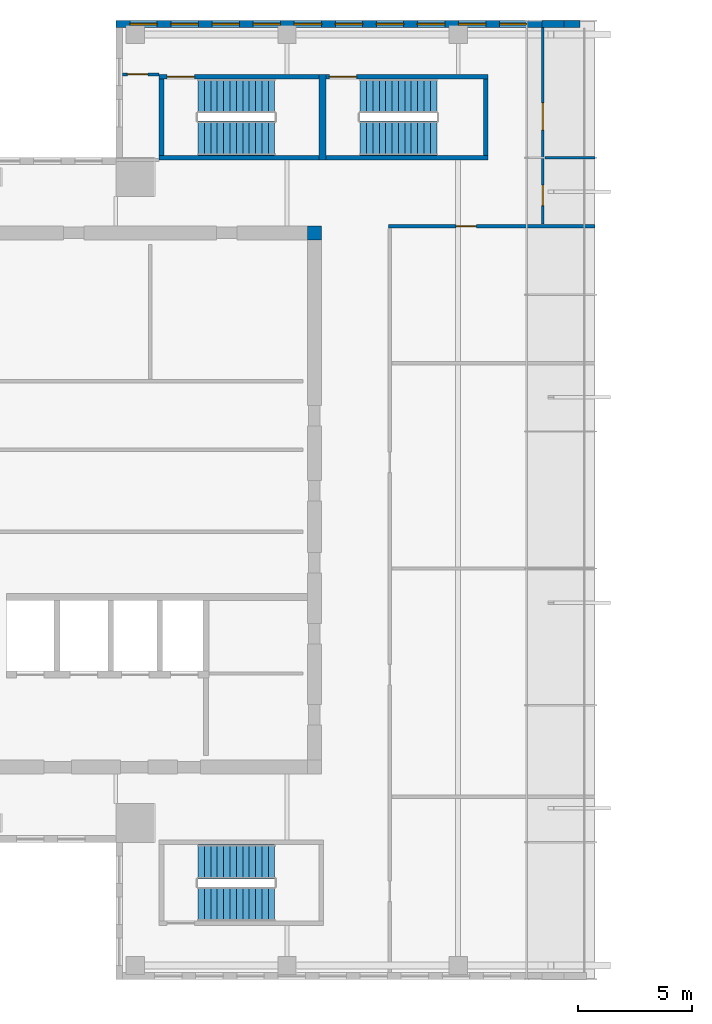
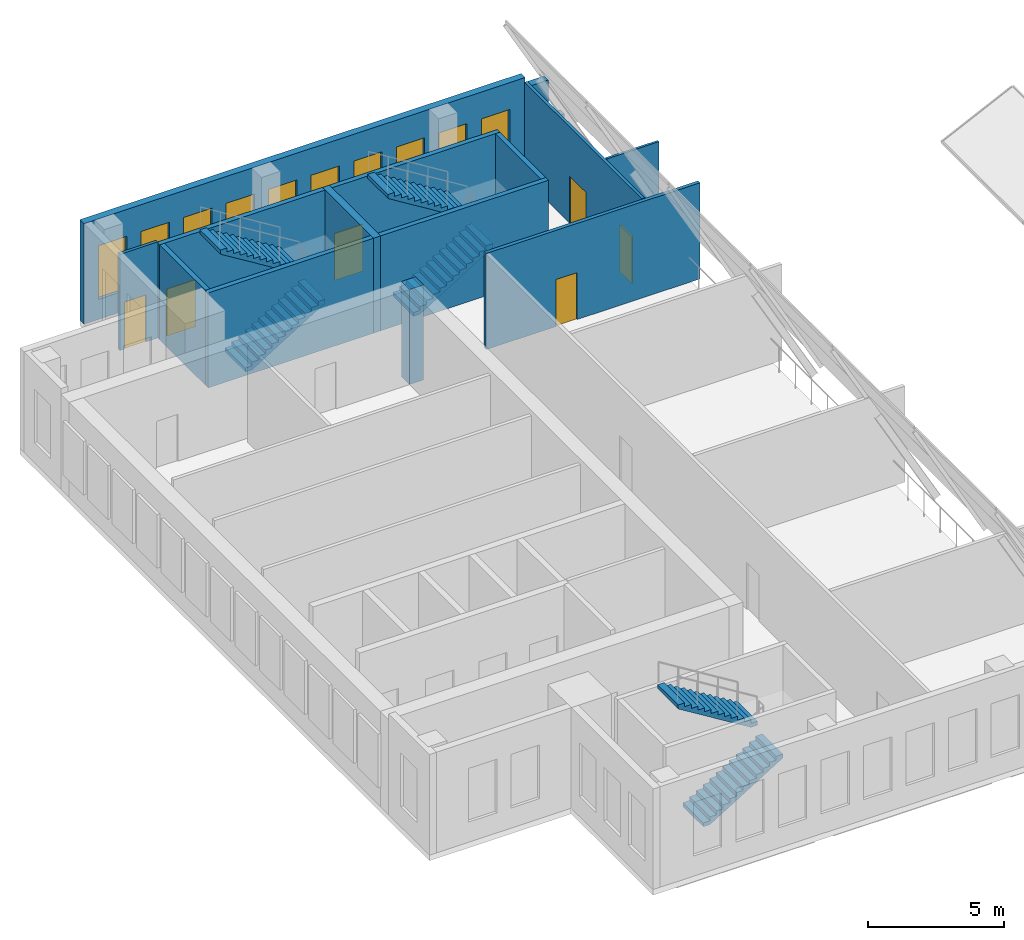
# One storey, part 5 of 7: 15 walls, 10 windows, 6 doors, 6 stair flights, 16 openings, 3 elements without a shape of their own.
"""IFC4 building model written with IfcOpenShell, lengths in metres."""

from ifc_helpers import new_model, si_unit, direction, frame, frame_2d, origin, place, context, subcontext, project, spatial, polyline, rectangle, outline, extrude, source, transform, mapped, material, layer, layer_set, type_object, element, fill, aggregate, save


model = new_model("IFC4")

# Units and contexts
model_context = context("Model", 3, precision=1e-05, world=origin(), true_north=direction((0.0, 1.0)))
body_context = subcontext(model_context, "Body", "Model", "MODEL_VIEW")
ifc_project = project(units=[si_unit("LENGTHUNIT", "METRE"), si_unit("AREAUNIT", "SQUARE_METRE"), si_unit("VOLUMEUNIT", "CUBIC_METRE"), si_unit("PLANEANGLEUNIT", "RADIAN"), si_unit("MASSUNIT", "GRAM", prefix="KILO")], contexts=[model_context])

# Site, building, storey
site_placement = place(None, origin())
site = spatial("IfcSite", under=ifc_project, at=site_placement, CompositionType="ELEMENT")
building_placement = place(site_placement, origin())
building = spatial("IfcBuilding", under=site, at=building_placement, Name="Khomas Fold Tower", CompositionType="ELEMENT")
storey_placement = place(building_placement, frame((0.0, 0.0, 339.199951171875)))
storey = spatial("IfcBuildingStorey", under=building, at=storey_placement, Name="C3", CompositionType="ELEMENT", Elevation=339.199951171875)

# Wall
ifc_material_1 = material(Name="Concrete C50/60", Category="concrete")
ifc_layer_1 = layer(ifc_material_1, 0.60009765625)
ifc_layer_set_1 = layer_set([ifc_layer_1], Name="Concrete C50/60")
wall_type_1 = type_object("IfcWallType", Name="Core corner wall 600", PredefinedType="SHEAR", material=ifc_layer_set_1)
shared_shape_1 = source(origin(), body_context, "Body", "SweptSolid", [
    extrude(rectangle(XDim=0.60009765625, YDim=0.60009765625, at=frame_2d((0.300048828125, 0.0))), origin(), (0.0, 0.0, 1.0), 4.25),
])
wall_1_placement = place(storey_placement, frame((20.39990234375, 38.699951171875, 0.0), z_axis=(0.0, 0.0, 1.0), x_axis=(1.0, 0.0, 0.0)))
element("IfcWall", 1, at=wall_1_placement, inside=storey, type_object=wall_type_1, Name="Core wall CW-U-NE-L63", PredefinedType="SHEAR", context=body_context, shape_type="MappedRepresentation", body=[
    mapped(shared_shape_1, transform((0.0, 0.0, 0.0))),
])

# Wall, opening, door
ifc_material_2 = material(Name="Concrete C50/60", Category="concrete")
ifc_layer_2 = layer(ifc_material_2, 0.199951171875)
ifc_layer_set_2 = layer_set([ifc_layer_2], Name="Concrete C50/60")
wall_type_2 = type_object("IfcWallType", Name="Stair wall 200", PredefinedType="SHEAR", material=ifc_layer_set_2)
shared_shape_2 = source(origin(), body_context, "Body", "SweptSolid", [
    extrude(rectangle(XDim=7.0, YDim=0.199951171875, at=frame_2d((3.5, 0.0))), origin(), (0.0, 0.0, 1.0), 4.25),
])
wall_2_placement = place(storey_placement, frame((13.89990234375, 45.550048828125, 0.0), z_axis=(0.0, 0.0, 1.0), x_axis=(1.0, 0.0, 0.0)))
wall_2 = element("IfcWall", 2, at=wall_2_placement, inside=storey, type_object=wall_type_2, Name="Stair wall SW-ST1-N", PredefinedType="SHEAR", context=body_context, shape_type="MappedRepresentation", body=[
    mapped(shared_shape_2, transform((0.0, 0.0, 0.0))),
])
shared_shape_3 = source(origin(), body_context, "Body", "SweptSolid", [
    extrude(rectangle(XDim=1.199951171875, YDim=2.10009765625, at=frame_2d((0.60009765625, 1.050048828125))), frame((0.0, 0.10986328125, 0.0), z_axis=(0.0, -1.0, 0.0), x_axis=(1.0, 0.0, 0.0)), (0.0, 0.0, 1.0), 0.219970703125),
])
opening_1_placement = place(wall_2_placement, frame((0.35009765625, 0.0, 0.0)))
opening_1 = element("IfcOpeningElement", 3, at=opening_1_placement, cuts=wall_2, Name="Opening SD-ST1", PredefinedType="OPENING", context=body_context, shape_type="MappedRepresentation", body=[
    mapped(shared_shape_3, transform((0.0, 0.0, 0.0))),
])
ifc_material_3 = material(Name="Steel door leaf", Category="steel")
door_type_1 = type_object("IfcDoorType", Name="Stair door 1200x2100 left-hand", OperationType="SINGLE_SWING_LEFT", PredefinedType="DOOR", material=ifc_material_3)
shared_shape_4 = source(origin(), body_context, "Body", "SweptSolid", [
    extrude(rectangle(XDim=1.199951171875, YDim=2.10009765625, at=frame_2d((0.60009765625, 1.050048828125))), frame((0.0, 0.02490234375, 0.0), z_axis=(0.0, -1.0, 0.0), x_axis=(1.0, 0.0, 0.0)), (0.0, 0.0, 1.0), 0.050048828125),
])
door_1_placement = place(opening_1_placement, origin())
door_1 = element("IfcDoor", 4, at=door_1_placement, inside=storey, type_object=door_type_1, Name="Stair door", OperationType="SINGLE_SWING_LEFT", OverallHeight=2.10009765625, OverallWidth=1.199951171875, PredefinedType="DOOR", context=body_context, shape_type="MappedRepresentation", body=[
    mapped(shared_shape_4, transform((0.0, 0.0, 0.0))),
])
fill(opening_1, door_1)

# Wall
wall_3_placement = place(storey_placement, frame((13.89990234375, 42.0, 0.0), z_axis=(0.0, 0.0, 1.0), x_axis=(1.0, 0.0, 0.0)))
element("IfcWall", 5, at=wall_3_placement, inside=storey, type_object=wall_type_2, Name="Stair wall SW-ST1-S", PredefinedType="SHEAR", context=body_context, shape_type="MappedRepresentation", body=[
    mapped(shared_shape_2, transform((0.0, 0.0, 0.0))),
])

# Wall, opening, door
shared_shape_5 = source(origin(), body_context, "Body", "SweptSolid", [
    extrude(rectangle(XDim=7.10009765625, YDim=0.199951171875, at=frame_2d((3.550048828125, 0.0))), origin(), (0.0, 0.0, 1.0), 4.25),
])
wall_4_placement = place(storey_placement, frame((21.199951171875, 45.550048828125, 0.0), z_axis=(0.0, 0.0, 1.0), x_axis=(1.0, 0.0, 0.0)))
wall_4 = element("IfcWall", 6, at=wall_4_placement, inside=storey, type_object=wall_type_2, Name="Stair wall SW-ST3-N", PredefinedType="SHEAR", context=body_context, shape_type="MappedRepresentation", body=[
    mapped(shared_shape_5, transform((0.0, 0.0, 0.0))),
])
opening_2_placement = place(wall_4_placement, frame((0.14990234375, 0.0, 0.0)))
opening_2 = element("IfcOpeningElement", 7, at=opening_2_placement, cuts=wall_4, Name="Opening SD-ST3", PredefinedType="OPENING", context=body_context, shape_type="MappedRepresentation", body=[
    mapped(shared_shape_3, transform((0.0, 0.0, 0.0))),
])
door_2_placement = place(opening_2_placement, origin())
door_2 = element("IfcDoor", 8, at=door_2_placement, inside=storey, type_object=door_type_1, Name="Stair door", OperationType="SINGLE_SWING_LEFT", OverallHeight=2.10009765625, OverallWidth=1.199951171875, PredefinedType="DOOR", context=body_context, shape_type="MappedRepresentation", body=[
    mapped(shared_shape_4, transform((0.0, 0.0, 0.0))),
])
fill(opening_2, door_2)

# Walls
wall_5_placement = place(storey_placement, frame((21.199951171875, 42.0, 0.0), z_axis=(0.0, 0.0, 1.0), x_axis=(1.0, 0.0, 0.0)))
element("IfcWall", 9, at=wall_5_placement, inside=storey, type_object=wall_type_2, Name="Stair wall SW-ST3-S", PredefinedType="SHEAR", context=body_context, shape_type="MappedRepresentation", body=[
    mapped(shared_shape_5, transform((0.0, 0.0, 0.0))),
])
ifc_material_4 = material(Name="Concrete C50/60", Category="concrete")
ifc_layer_3 = layer(ifc_material_4, 0.300048828125)
ifc_layer_set_3 = layer_set([ifc_layer_3], Name="Concrete C50/60")
wall_type_3 = type_object("IfcWallType", Name="Stair wall 300", PredefinedType="SHEAR", material=ifc_layer_set_3)
shared_shape_6 = source(origin(), body_context, "Body", "SweptSolid", [
    extrude(rectangle(XDim=3.75, YDim=0.300048828125, at=frame_2d((1.875, 0.0))), origin(), (0.0, 0.0, 1.0), 4.25),
])
wall_6_placement = place(storey_placement, frame((21.050048828125, 41.89990234375, 0.0), z_axis=(0.0, 0.0, 1.0), x_axis=(0.0, 1.0, 0.0)))
element("IfcWall", 10, at=wall_6_placement, inside=storey, type_object=wall_type_3, Name="Stair wall SW-ST1-E", PredefinedType="SHEAR", context=body_context, shape_type="MappedRepresentation", body=[
    mapped(shared_shape_6, transform((0.0, 0.0, 0.0))),
])
shared_shape_7 = source(origin(), body_context, "Body", "SweptSolid", [
    extrude(rectangle(XDim=3.349853515625, YDim=0.199951171875, at=frame_2d((1.6748046875, 0.0))), origin(), (0.0, 0.0, 1.0), 4.25),
])
for number, where, z_axis, x_axis, name in (
    (11, (14.0, 42.10009765625, 0.0), (0.0, 0.0, 1.0), (0.0, 1.0, 0.0), "Stair wall SW-ST1-W"),
    (12, (28.199951171875, 42.10009765625, 0.0), (0.0, 0.0, 1.0), (0.0, 1.0, 0.0), "Stair wall SW-ST3-E"),
):
    element("IfcWall", number, at=place(storey_placement, frame(where, z_axis=z_axis, x_axis=x_axis)), inside=storey, type_object=wall_type_2, Name=name, PredefinedType="SHEAR", context=body_context, shape_type="MappedRepresentation", body=[
        mapped(shared_shape_7, transform((0.0, 0.0, 0.0))),
    ])
ifc_material_5 = material(Name="Concrete C40/50", Category="concrete")
ifc_layer_4 = layer(ifc_material_5, 0.300048828125)
ifc_layer_set_4 = layer_set([ifc_layer_4], Name="Concrete C40/50")
wall_type_4 = type_object("IfcWallType", Name="Crown gable wall 300 CR-GW2", PredefinedType="SOLIDWALL", material=ifc_layer_set_4)
shared_shape_8 = source(origin(), body_context, "Body", "SweptSolid", [
    extrude(rectangle(XDim=0.982177734375, YDim=0.300048828125, at=frame_2d((0.4912109375, 0.0))), origin(), (0.0, 0.0, 1.0), 4.050048828125),
])
wall_7_placement = place(storey_placement, frame((31.64453125, 47.85009765625, 0.0), z_axis=(0.0, 0.0, 1.0), x_axis=(-1.0, 0.0, 0.0)))
element("IfcWall", 13, at=wall_7_placement, inside=storey, type_object=wall_type_4, Name="Crown wall", PredefinedType="SOLIDWALL", context=body_context, shape_type="MappedRepresentation", body=[
    mapped(shared_shape_8, transform((0.0, 0.0, 0.0))),
])
ifc_material_6 = material(Name="Concrete C40/50", Category="concrete")
ifc_layer_5 = layer(ifc_material_6, 0.300048828125)
ifc_layer_set_5 = layer_set([ifc_layer_5], Name="Concrete C40/50")
wall_type_5 = type_object("IfcWallType", Name="Crown gable wall 300 CR-GW3", PredefinedType="SOLIDWALL", material=ifc_layer_set_5)
shared_shape_9 = source(origin(), body_context, "Body", "SweptSolid", [
    extrude(rectangle(XDim=0.68212890625, YDim=0.300048828125, at=frame_2d((0.341064453125, 0.0))), origin(), (0.0, 0.0, 1.0), 2.300048828125),
])
wall_8_placement = place(storey_placement, frame((32.32666015625, 47.85009765625, 0.0), z_axis=(0.0, 0.0, 1.0), x_axis=(-1.0, 0.0, 0.0)))
element("IfcWall", 14, at=wall_8_placement, inside=storey, type_object=wall_type_5, Name="Crown wall", PredefinedType="SOLIDWALL", context=body_context, shape_type="MappedRepresentation", body=[
    mapped(shared_shape_9, transform((0.0, 0.0, 0.0))),
])

# Wall, openings, windows
ifc_material_7 = material(Name="Concrete C40/50", Category="concrete")
ifc_layer_6 = layer(ifc_material_7, 0.300048828125)
ifc_layer_set_6 = layer_set([ifc_layer_6], Name="Concrete C40/50")
wall_type_6 = type_object("IfcWallType", Name="Crown gable wall 300 CR-GW1", PredefinedType="SOLIDWALL", material=ifc_layer_set_6)
shared_shape_10 = source(origin(), body_context, "Body", "SweptSolid", [
    extrude(rectangle(XDim=18.662353515625, YDim=0.300048828125, at=frame_2d((9.3310546875, 0.0))), origin(), (0.0, 0.0, 1.0), 4.5),
])
wall_9_placement = place(storey_placement, frame((30.662353515625, 47.85009765625, 0.0), z_axis=(0.0, 0.0, 1.0), x_axis=(-1.0, 0.0, 0.0)))
wall_9 = element("IfcWall", 15, at=wall_9_placement, inside=storey, type_object=wall_type_6, Name="Crown wall", PredefinedType="SOLIDWALL", context=body_context, shape_type="MappedRepresentation", body=[
    mapped(shared_shape_10, transform((0.0, 0.0, 0.0))),
])
shared_shape_11 = source(origin(), body_context, "Body", "SweptSolid", [
    extrude(rectangle(XDim=1.199951171875, YDim=2.39990234375, at=frame_2d((0.60009765625, 1.199951171875))), frame((0.0, 0.159912109375, 0.0), z_axis=(0.0, -1.0, 0.0), x_axis=(1.0, 0.0, 0.0)), (0.0, 0.0, 1.0), 0.320068359375),
])
opening_3_placement = place(wall_9_placement, frame((0.64990234375, 0.0, 0.89990234375)))
opening_3 = element("IfcOpeningElement", 16, at=opening_3_placement, cuts=wall_9, Name="Opening CR-LV", PredefinedType="OPENING", context=body_context, shape_type="MappedRepresentation", body=[
    mapped(shared_shape_11, transform((0.0, 0.0, 0.0))),
])
opening_4_placement = place(wall_9_placement, frame((2.449951171875, 0.0, 0.89990234375)))
opening_4 = element("IfcOpeningElement", 17, at=opening_4_placement, cuts=wall_9, Name="Opening CR-LV", PredefinedType="OPENING", context=body_context, shape_type="MappedRepresentation", body=[
    mapped(shared_shape_11, transform((0.0, 0.0, 0.0))),
])
opening_5_placement = place(wall_9_placement, frame((4.25, 0.0, 0.89990234375)))
opening_5 = element("IfcOpeningElement", 18, at=opening_5_placement, cuts=wall_9, Name="Opening CR-LV", PredefinedType="OPENING", context=body_context, shape_type="MappedRepresentation", body=[
    mapped(shared_shape_11, transform((0.0, 0.0, 0.0))),
])
opening_6_placement = place(wall_9_placement, frame((6.050048828125, 0.0, 0.89990234375)))
opening_6 = element("IfcOpeningElement", 19, at=opening_6_placement, cuts=wall_9, Name="Opening CR-LV", PredefinedType="OPENING", context=body_context, shape_type="MappedRepresentation", body=[
    mapped(shared_shape_11, transform((0.0, 0.0, 0.0))),
])
opening_7_placement = place(wall_9_placement, frame((7.85009765625, 0.0, 0.89990234375)))
opening_7 = element("IfcOpeningElement", 20, at=opening_7_placement, cuts=wall_9, Name="Opening CR-LV", PredefinedType="OPENING", context=body_context, shape_type="MappedRepresentation", body=[
    mapped(shared_shape_11, transform((0.0, 0.0, 0.0))),
])
opening_8_placement = place(wall_9_placement, frame((9.64990234375, 0.0, 0.89990234375)))
opening_8 = element("IfcOpeningElement", 21, at=opening_8_placement, cuts=wall_9, Name="Opening CR-LV", PredefinedType="OPENING", context=body_context, shape_type="MappedRepresentation", body=[
    mapped(shared_shape_11, transform((0.0, 0.0, 0.0))),
])
opening_9_placement = place(wall_9_placement, frame((11.449951171875, 0.0, 0.89990234375)))
opening_9 = element("IfcOpeningElement", 22, at=opening_9_placement, cuts=wall_9, Name="Opening CR-LV", PredefinedType="OPENING", context=body_context, shape_type="MappedRepresentation", body=[
    mapped(shared_shape_11, transform((0.0, 0.0, 0.0))),
])
opening_10_placement = place(wall_9_placement, frame((13.25, 0.0, 0.89990234375)))
opening_10 = element("IfcOpeningElement", 23, at=opening_10_placement, cuts=wall_9, Name="Opening CR-LV", PredefinedType="OPENING", context=body_context, shape_type="MappedRepresentation", body=[
    mapped(shared_shape_11, transform((0.0, 0.0, 0.0))),
])
opening_11_placement = place(wall_9_placement, frame((15.050048828125, 0.0, 0.89990234375)))
opening_11 = element("IfcOpeningElement", 24, at=opening_11_placement, cuts=wall_9, Name="Opening CR-LV", PredefinedType="OPENING", context=body_context, shape_type="MappedRepresentation", body=[
    mapped(shared_shape_11, transform((0.0, 0.0, 0.0))),
])
opening_12_placement = place(wall_9_placement, frame((16.85009765625, 0.0, 0.89990234375)))
opening_12 = element("IfcOpeningElement", 25, at=opening_12_placement, cuts=wall_9, Name="Opening CR-LV", PredefinedType="OPENING", context=body_context, shape_type="MappedRepresentation", body=[
    mapped(shared_shape_11, transform((0.0, 0.0, 0.0))),
])
ifc_material_8 = material(Name="Aluminium louvre", Category="aluminium")
window_type = type_object("IfcWindowType", Name="Crown plant louvre 1200 x 2400", PartitioningType="SINGLE_PANEL", PredefinedType="WINDOW", material=ifc_material_8)
shared_shape_12 = source(origin(), body_context, "Body", "SweptSolid", [
    extrude(rectangle(XDim=1.199951171875, YDim=2.39990234375, at=frame_2d((0.60009765625, 1.199951171875))), frame((0.0, 0.030029296875, 0.0), z_axis=(0.0, -1.0, 0.0), x_axis=(1.0, 0.0, 0.0)), (0.0, 0.0, 1.0), 0.06005859375),
])
window_1_placement = place(opening_3_placement, origin())
window_1 = element("IfcWindow", 26, at=window_1_placement, inside=storey, type_object=window_type, Name="Crown plant louvre", OverallHeight=2.39990234375, OverallWidth=1.199951171875, PartitioningType="SINGLE_PANEL", PredefinedType="WINDOW", context=body_context, shape_type="MappedRepresentation", body=[
    mapped(shared_shape_12, transform((0.0, 0.0, 0.0))),
])
fill(opening_3, window_1)
window_2_placement = place(opening_4_placement, origin())
window_2 = element("IfcWindow", 27, at=window_2_placement, inside=storey, type_object=window_type, Name="Crown plant louvre", OverallHeight=2.39990234375, OverallWidth=1.199951171875, PartitioningType="SINGLE_PANEL", PredefinedType="WINDOW", context=body_context, shape_type="MappedRepresentation", body=[
    mapped(shared_shape_12, transform((0.0, 0.0, 0.0))),
])
fill(opening_4, window_2)
window_3_placement = place(opening_5_placement, origin())
window_3 = element("IfcWindow", 28, at=window_3_placement, inside=storey, type_object=window_type, Name="Crown plant louvre", OverallHeight=2.39990234375, OverallWidth=1.199951171875, PartitioningType="SINGLE_PANEL", PredefinedType="WINDOW", context=body_context, shape_type="MappedRepresentation", body=[
    mapped(shared_shape_12, transform((0.0, 0.0, 0.0))),
])
fill(opening_5, window_3)
window_4_placement = place(opening_6_placement, origin())
window_4 = element("IfcWindow", 29, at=window_4_placement, inside=storey, type_object=window_type, Name="Crown plant louvre", OverallHeight=2.39990234375, OverallWidth=1.199951171875, PartitioningType="SINGLE_PANEL", PredefinedType="WINDOW", context=body_context, shape_type="MappedRepresentation", body=[
    mapped(shared_shape_12, transform((0.0, 0.0, 0.0))),
])
fill(opening_6, window_4)
window_5_placement = place(opening_7_placement, origin())
window_5 = element("IfcWindow", 30, at=window_5_placement, inside=storey, type_object=window_type, Name="Crown plant louvre", OverallHeight=2.39990234375, OverallWidth=1.199951171875, PartitioningType="SINGLE_PANEL", PredefinedType="WINDOW", context=body_context, shape_type="MappedRepresentation", body=[
    mapped(shared_shape_12, transform((0.0, 0.0, 0.0))),
])
fill(opening_7, window_5)
window_6_placement = place(opening_8_placement, origin())
window_6 = element("IfcWindow", 31, at=window_6_placement, inside=storey, type_object=window_type, Name="Crown plant louvre", OverallHeight=2.39990234375, OverallWidth=1.199951171875, PartitioningType="SINGLE_PANEL", PredefinedType="WINDOW", context=body_context, shape_type="MappedRepresentation", body=[
    mapped(shared_shape_12, transform((0.0, 0.0, 0.0))),
])
fill(opening_8, window_6)
window_7_placement = place(opening_9_placement, origin())
window_7 = element("IfcWindow", 32, at=window_7_placement, inside=storey, type_object=window_type, Name="Crown plant louvre", OverallHeight=2.39990234375, OverallWidth=1.199951171875, PartitioningType="SINGLE_PANEL", PredefinedType="WINDOW", context=body_context, shape_type="MappedRepresentation", body=[
    mapped(shared_shape_12, transform((0.0, 0.0, 0.0))),
])
fill(opening_9, window_7)
window_8_placement = place(opening_10_placement, origin())
window_8 = element("IfcWindow", 33, at=window_8_placement, inside=storey, type_object=window_type, Name="Crown plant louvre", OverallHeight=2.39990234375, OverallWidth=1.199951171875, PartitioningType="SINGLE_PANEL", PredefinedType="WINDOW", context=body_context, shape_type="MappedRepresentation", body=[
    mapped(shared_shape_12, transform((0.0, 0.0, 0.0))),
])
fill(opening_10, window_8)
window_9_placement = place(opening_11_placement, origin())
window_9 = element("IfcWindow", 34, at=window_9_placement, inside=storey, type_object=window_type, Name="Crown plant louvre", OverallHeight=2.39990234375, OverallWidth=1.199951171875, PartitioningType="SINGLE_PANEL", PredefinedType="WINDOW", context=body_context, shape_type="MappedRepresentation", body=[
    mapped(shared_shape_12, transform((0.0, 0.0, 0.0))),
])
fill(opening_11, window_9)
window_10_placement = place(opening_12_placement, origin())
window_10 = element("IfcWindow", 35, at=window_10_placement, inside=storey, type_object=window_type, Name="Crown plant louvre", OverallHeight=2.39990234375, OverallWidth=1.199951171875, PartitioningType="SINGLE_PANEL", PredefinedType="WINDOW", context=body_context, shape_type="MappedRepresentation", body=[
    mapped(shared_shape_12, transform((0.0, 0.0, 0.0))),
])
fill(opening_12, window_10)

# Wall, openings, doors
ifc_material_9 = material(Name="Plasterboard partition")
ifc_layer_7 = layer(ifc_material_9, 0.125)
ifc_layer_set_7 = layer_set([ifc_layer_7], Name="Plasterboard partition")
wall_type_7 = type_object("IfcWallType", Name="Partition PW2 125", PredefinedType="PARTITIONING", material=ifc_layer_set_7)
shared_shape_13 = source(origin(), body_context, "Body", "SweptSolid", [
    extrude(rectangle(XDim=8.599853515625, YDim=0.125, at=frame_2d((4.2998046875, 0.0))), origin(), (0.0, 0.0, 1.0), 4.300048828125),
])
wall_10_placement = place(storey_placement, frame((30.699951171875, 39.10009765625, 0.0), z_axis=(0.0, 0.0, 1.0), x_axis=(0.0, 1.0, 0.0)))
wall_10 = element("IfcWall", 36, at=wall_10_placement, inside=storey, type_object=wall_type_7, Name="Partition", PredefinedType="PARTITIONING", context=body_context, shape_type="MappedRepresentation", body=[
    mapped(shared_shape_13, transform((0.0, 0.0, 0.0))),
])
shared_shape_14 = source(origin(), body_context, "Body", "SweptSolid", [
    extrude(rectangle(XDim=0.89990234375, YDim=2.10009765625, at=frame_2d((0.449951171875, 1.050048828125))), frame((0.0, 0.072509765625, 0.0), z_axis=(0.0, -1.0, 0.0), x_axis=(1.0, 0.0, 0.0)), (0.0, 0.0, 1.0), 0.14501953125),
])
opening_13_placement = place(wall_10_placement, frame((0.800048828125, 0.0, 0.0)))
opening_13 = element("IfcOpeningElement", 37, at=opening_13_placement, cuts=wall_10, Name="Opening 0005", PredefinedType="OPENING", context=body_context, shape_type="MappedRepresentation", body=[
    mapped(shared_shape_14, transform((0.0, 0.0, 0.0))),
])
shared_shape_15 = source(origin(), body_context, "Body", "SweptSolid", [
    extrude(rectangle(XDim=1.199951171875, YDim=2.10009765625, at=frame_2d((0.60009765625, 1.050048828125))), frame((0.0, 0.072509765625, 0.0), z_axis=(0.0, -1.0, 0.0), x_axis=(1.0, 0.0, 0.0)), (0.0, 0.0, 1.0), 0.14501953125),
])
opening_14_placement = place(wall_10_placement, frame((4.10009765625, 0.0, 0.0)))
opening_14 = element("IfcOpeningElement", 38, at=opening_14_placement, cuts=wall_10, Name="Opening 0013", PredefinedType="OPENING", context=body_context, shape_type="MappedRepresentation", body=[
    mapped(shared_shape_15, transform((0.0, 0.0, 0.0))),
])
ifc_material_10 = material(Name="Timber door leaf", Category="wood")
door_type_2 = type_object("IfcDoorType", Name="WC door 900x2100 left-hand", OperationType="SINGLE_SWING_LEFT", PredefinedType="DOOR", material=ifc_material_10)
shared_shape_16 = source(origin(), body_context, "Body", "SweptSolid", [
    extrude(rectangle(XDim=0.89990234375, YDim=2.10009765625, at=frame_2d((0.449951171875, 1.050048828125))), frame((0.0, 0.02490234375, 0.0), z_axis=(0.0, -1.0, 0.0), x_axis=(1.0, 0.0, 0.0)), (0.0, 0.0, 1.0), 0.050048828125),
])
door_3_placement = place(opening_13_placement, origin())
door_3 = element("IfcDoor", 39, at=door_3_placement, inside=storey, type_object=door_type_2, Name="WC door", OperationType="SINGLE_SWING_LEFT", OverallHeight=2.10009765625, OverallWidth=0.89990234375, PredefinedType="DOOR", context=body_context, shape_type="MappedRepresentation", body=[
    mapped(shared_shape_16, transform((0.0, 0.0, 0.0))),
])
fill(opening_13, door_3)
ifc_material_11 = material(Name="Timber door leaf", Category="wood")
door_type_3 = type_object("IfcDoorType", Name="Door 1200x2100 left-hand", OperationType="SINGLE_SWING_LEFT", PredefinedType="DOOR", material=ifc_material_11)
door_4_placement = place(opening_14_placement, origin())
door_4 = element("IfcDoor", 40, at=door_4_placement, inside=storey, type_object=door_type_3, Name="Door", OperationType="SINGLE_SWING_LEFT", OverallHeight=2.10009765625, OverallWidth=1.199951171875, PredefinedType="DOOR", context=body_context, shape_type="MappedRepresentation", body=[
    mapped(shared_shape_4, transform((0.0, 0.0, 0.0))),
])
fill(opening_14, door_4)

# Wall, opening, door
shared_shape_17 = source(origin(), body_context, "Body", "SweptSolid", [
    extrude(rectangle(XDim=1.599853515625, YDim=0.125, at=frame_2d((0.7998046875, 0.0))), origin(), (0.0, 0.0, 1.0), 4.300048828125),
])
wall_11_placement = place(storey_placement, frame((12.300048828125, 45.64990234375, 0.0), z_axis=(0.0, 0.0, 1.0), x_axis=(1.0, 0.0, 0.0)))
wall_11 = element("IfcWall", 41, at=wall_11_placement, inside=storey, type_object=wall_type_7, Name="Partition", PredefinedType="PARTITIONING", context=body_context, shape_type="MappedRepresentation", body=[
    mapped(shared_shape_17, transform((0.0, 0.0, 0.0))),
])
opening_15_placement = place(wall_11_placement, frame((0.199951171875, 0.0, 0.0)))
opening_15 = element("IfcOpeningElement", 42, at=opening_15_placement, cuts=wall_11, Name="Opening 0007", PredefinedType="OPENING", context=body_context, shape_type="MappedRepresentation", body=[
    mapped(shared_shape_14, transform((0.0, 0.0, 0.0))),
])
ifc_material_12 = material(Name="Timber door leaf", Category="wood")
door_type_4 = type_object("IfcDoorType", Name="Door 900x2100 left-hand", OperationType="SINGLE_SWING_LEFT", PredefinedType="DOOR", material=ifc_material_12)
door_5_placement = place(opening_15_placement, origin())
door_5 = element("IfcDoor", 43, at=door_5_placement, inside=storey, type_object=door_type_4, Name="Door", OperationType="SINGLE_SWING_LEFT", OverallHeight=2.10009765625, OverallWidth=0.89990234375, PredefinedType="DOOR", context=body_context, shape_type="MappedRepresentation", body=[
    mapped(shared_shape_16, transform((0.0, 0.0, 0.0))),
])
fill(opening_15, door_5)

ifc_material_13 = material(Name="Plasterboard fire partition")
ifc_layer_8 = layer(ifc_material_13, 0.14990234375)
ifc_layer_set_8 = layer_set([ifc_layer_8], Name="Plasterboard fire partition")
wall_type_8 = type_object("IfcWallType", Name="Plant room wall PW3 150", PredefinedType="PARTITIONING", material=ifc_layer_set_8)
shared_shape_18 = source(origin(), body_context, "Body", "SweptSolid", [
    extrude(rectangle(XDim=9.050048828125, YDim=0.14990234375, at=frame_2d((4.52490234375, 0.0))), origin(), (0.0, 0.0, 1.0), 4.300048828125),
])
wall_12_placement = place(storey_placement, frame((23.949951171875, 39.0, 0.0), z_axis=(0.0, 0.0, 1.0), x_axis=(1.0, 0.0, 0.0)))
wall_12 = element("IfcWall", 44, at=wall_12_placement, inside=storey, type_object=wall_type_8, Name="Plant room wall", PredefinedType="PARTITIONING", context=body_context, shape_type="MappedRepresentation", body=[
    mapped(shared_shape_18, transform((0.0, 0.0, 0.0))),
])
shared_shape_19 = source(origin(), body_context, "Body", "SweptSolid", [
    extrude(rectangle(XDim=0.89990234375, YDim=2.10009765625, at=frame_2d((0.449951171875, 1.050048828125))), frame((0.0, 0.0849609375, 0.0), z_axis=(0.0, -1.0, 0.0), x_axis=(1.0, 0.0, 0.0)), (0.0, 0.0, 1.0), 0.169921875),
])
opening_16_placement = place(wall_12_placement, frame((2.949951171875, 0.0, 0.0)))
opening_16 = element("IfcOpeningElement", 45, at=opening_16_placement, cuts=wall_12, Name="Opening 0002", PredefinedType="OPENING", context=body_context, shape_type="MappedRepresentation", body=[
    mapped(shared_shape_19, transform((0.0, 0.0, 0.0))),
])
ifc_material_14 = material(Name="Steel door leaf", Category="steel")
door_type_5 = type_object("IfcDoorType", Name="Plant room door 900x2100 left-hand", OperationType="SINGLE_SWING_LEFT", PredefinedType="DOOR", material=ifc_material_14)
door_6_placement = place(opening_16_placement, origin())
door_6 = element("IfcDoor", 46, at=door_6_placement, inside=storey, type_object=door_type_5, Name="Plant room door", OperationType="SINGLE_SWING_LEFT", OverallHeight=2.10009765625, OverallWidth=0.89990234375, PredefinedType="DOOR", context=body_context, shape_type="MappedRepresentation", body=[
    mapped(shared_shape_16, transform((0.0, 0.0, 0.0))),
])
fill(opening_16, door_6)

# Wall
ifc_material_15 = material(Name="Plasterboard partition")
ifc_layer_9 = layer(ifc_material_15, 0.10009765625)
ifc_layer_set_9 = layer_set([ifc_layer_9], Name="Plasterboard partition")
wall_type_9 = type_object("IfcWallType", Name="Partition PW1 100", PredefinedType="PARTITIONING", material=ifc_layer_set_9)
shared_shape_20 = source(origin(), body_context, "Body", "SweptSolid", [
    extrude(rectangle(XDim=2.199951171875, YDim=0.10009765625, at=frame_2d((1.10009765625, 0.0))), origin(), (0.0, 0.0, 1.0), 4.300048828125),
])
wall_13_placement = place(storey_placement, frame((30.800048828125, 42.0, 0.0), z_axis=(0.0, 0.0, 1.0), x_axis=(1.0, 0.0, 0.0)))
element("IfcWall", 47, at=wall_13_placement, inside=storey, type_object=wall_type_9, Name="Partition", PredefinedType="PARTITIONING", context=body_context, shape_type="MappedRepresentation", body=[
    mapped(shared_shape_20, transform((0.0, 0.0, 0.0))),
])

# Stair, stair flights
ifc_material_16 = material(Name="Concrete C40/50", Category="concrete")
stair_type_1 = type_object("IfcStairType", Name="Stair ST1", PredefinedType="HALF_TURN_STAIR", material=ifc_material_16)
stair_1_placement = place(storey_placement, origin())
stair_1 = element("IfcStair", 48, at=stair_1_placement, inside=storey, type_object=stair_type_1, Name="C3 ST1", PredefinedType="HALF_TURN_STAIR")
ifc_material_17 = material(Name="Concrete C40/50", Category="concrete")
stair_flight_type_1 = type_object("IfcStairFlightType", Name="Stair flight 1500 ST1", PredefinedType="STRAIGHT", material=ifc_material_17)
shared_shape_21 = source(origin(), body_context, "Body", "SweptSolid", [
    extrude(outline(polyline([(0.0, 0.0), (0.0, 0.013427734375), (0.0, 0.026611328125), (0.0, 0.0400390625), (0.0, 0.05322265625), (0.0, 0.066650390625), (0.0, 0.079833984375), (0.0, 0.09326171875), (0.0, 0.1064453125), (0.0, 0.119873046875), (0.0, 0.133056640625), (0.0, 0.146484375), (0.0, 0.15966796875), (0.0, 0.173095703125), (0.280029296875, 0.173095703125), (0.280029296875, 0.34619140625), (0.56005859375, 0.34619140625), (0.56005859375, 0.519287109375), (0.840087890625, 0.519287109375), (0.840087890625, 0.6923828125), (1.1201171875, 0.6923828125), (1.1201171875, 0.865478515625), (1.39990234375, 0.865478515625), (1.39990234375, 1.03857421875), (1.679931640625, 1.03857421875), (1.679931640625, 1.21142578125), (1.9599609375, 1.21142578125), (1.9599609375, 1.384521484375), (2.239990234375, 1.384521484375), (2.239990234375, 1.5576171875), (2.52001953125, 1.5576171875), (2.52001953125, 1.730712890625), (2.800048828125, 1.730712890625), (2.800048828125, 1.90380859375), (3.080078125, 1.90380859375), (3.080078125, 2.076904296875), (3.360107421875, 2.076904296875), (3.360107421875, 2.25), (3.360107421875, 2.22314453125), (3.360107421875, 2.1962890625), (3.360107421875, 2.16943359375), (3.360107421875, 2.142578125), (3.360107421875, 2.11572265625), (3.360107421875, 2.0888671875), (3.360107421875, 2.06201171875), (3.360107421875, 2.03515625), (3.360107421875, 2.008056640625), (3.360107421875, 1.981201171875), (3.360107421875, 1.954345703125), (3.360107421875, 1.927490234375), (3.360107421875, 1.900634765625), (0.28515625, 0.0), (0.0, 0.0)])), frame((0.0, 0.75, 0.0), z_axis=(0.0, -1.0, 0.0), x_axis=(1.0, 0.0, 0.0)), (0.0, 0.0, 1.0), 1.5),
])
stair_flight_1_placement = place(storey_placement, frame((15.60009765625, 42.85009765625, 0.0), z_axis=(0.0, 0.0, 1.0), x_axis=(1.0, 0.0, 0.0)))
stair_flight_1 = element("IfcStairFlight", 49, at=stair_flight_1_placement, type_object=stair_flight_type_1, Name="ST1 flight 1", NumberOfRisers=13, NumberOfTreads=12, PredefinedType="STRAIGHT", RiserHeight=0.173076923, TreadLength=0.28, context=body_context, shape_type="MappedRepresentation", body=[
    mapped(shared_shape_21, transform((0.0, 0.0, 0.0))),
])
stair_flight_2_placement = place(storey_placement, frame((18.9599609375, 44.699951171875, 2.25), z_axis=(0.0, 0.0, 1.0), x_axis=(-1.0, 0.0, 0.0)))
stair_flight_2 = element("IfcStairFlight", 50, at=stair_flight_2_placement, type_object=stair_flight_type_1, Name="ST1 flight 2", NumberOfRisers=13, NumberOfTreads=12, PredefinedType="STRAIGHT", RiserHeight=0.173076923, TreadLength=0.28, context=body_context, shape_type="MappedRepresentation", body=[
    mapped(shared_shape_21, transform((0.0, 0.0, 0.0))),
])
aggregate(stair_1, [stair_flight_1, stair_flight_2])

ifc_material_18 = material(Name="Concrete C40/50", Category="concrete")
stair_type_2 = type_object("IfcStairType", Name="Stair ST2", PredefinedType="HALF_TURN_STAIR", material=ifc_material_18)
stair_2_placement = place(storey_placement, origin())
stair_2 = element("IfcStair", 51, at=stair_2_placement, inside=storey, type_object=stair_type_2, Name="C3 ST2", PredefinedType="HALF_TURN_STAIR")
ifc_material_19 = material(Name="Concrete C40/50", Category="concrete")
stair_flight_type_2 = type_object("IfcStairFlightType", Name="Stair flight 1500 ST2", PredefinedType="STRAIGHT", material=ifc_material_19)
stair_flight_3_placement = place(storey_placement, frame((15.60009765625, 9.300048828125, 0.0), z_axis=(0.0, 0.0, 1.0), x_axis=(1.0, 0.0, 0.0)))
stair_flight_3 = element("IfcStairFlight", 52, at=stair_flight_3_placement, type_object=stair_flight_type_2, Name="ST2 flight 1", NumberOfRisers=13, NumberOfTreads=12, PredefinedType="STRAIGHT", RiserHeight=0.173076923, TreadLength=0.28, context=body_context, shape_type="MappedRepresentation", body=[
    mapped(shared_shape_21, transform((0.0, 0.0, 0.0))),
])
stair_flight_4_placement = place(storey_placement, frame((18.9599609375, 11.14990234375, 2.25), z_axis=(0.0, 0.0, 1.0), x_axis=(-1.0, 0.0, 0.0)))
stair_flight_4 = element("IfcStairFlight", 53, at=stair_flight_4_placement, type_object=stair_flight_type_2, Name="ST2 flight 2", NumberOfRisers=13, NumberOfTreads=12, PredefinedType="STRAIGHT", RiserHeight=0.173076923, TreadLength=0.28, context=body_context, shape_type="MappedRepresentation", body=[
    mapped(shared_shape_21, transform((0.0, 0.0, 0.0))),
])
aggregate(stair_2, [stair_flight_3, stair_flight_4])

ifc_material_20 = material(Name="Concrete C40/50", Category="concrete")
stair_type_3 = type_object("IfcStairType", Name="Stair ST3", PredefinedType="HALF_TURN_STAIR", material=ifc_material_20)
stair_3_placement = place(storey_placement, origin())
stair_3 = element("IfcStair", 54, at=stair_3_placement, inside=storey, type_object=stair_type_3, Name="C3 ST3", PredefinedType="HALF_TURN_STAIR")
ifc_material_21 = material(Name="Concrete C40/50", Category="concrete")
stair_flight_type_3 = type_object("IfcStairFlightType", Name="Stair flight 1500 ST3", PredefinedType="STRAIGHT", material=ifc_material_21)
stair_flight_5_placement = place(storey_placement, frame((22.699951171875, 42.85009765625, 0.0), z_axis=(0.0, 0.0, 1.0), x_axis=(1.0, 0.0, 0.0)))
stair_flight_5 = element("IfcStairFlight", 55, at=stair_flight_5_placement, type_object=stair_flight_type_3, Name="ST3 flight 1", NumberOfRisers=13, NumberOfTreads=12, PredefinedType="STRAIGHT", RiserHeight=0.173076923, TreadLength=0.28, context=body_context, shape_type="MappedRepresentation", body=[
    mapped(shared_shape_21, transform((0.0, 0.0, 0.0))),
])
stair_flight_6_placement = place(storey_placement, frame((26.06005859375, 44.699951171875, 2.25), z_axis=(0.0, 0.0, 1.0), x_axis=(-1.0, 0.0, 0.0)))
stair_flight_6 = element("IfcStairFlight", 56, at=stair_flight_6_placement, type_object=stair_flight_type_3, Name="ST3 flight 2", NumberOfRisers=13, NumberOfTreads=12, PredefinedType="STRAIGHT", RiserHeight=0.173076923, TreadLength=0.28, context=body_context, shape_type="MappedRepresentation", body=[
    mapped(shared_shape_21, transform((0.0, 0.0, 0.0))),
])
aggregate(stair_3, [stair_flight_5, stair_flight_6])

save(model, "model.ifc")
